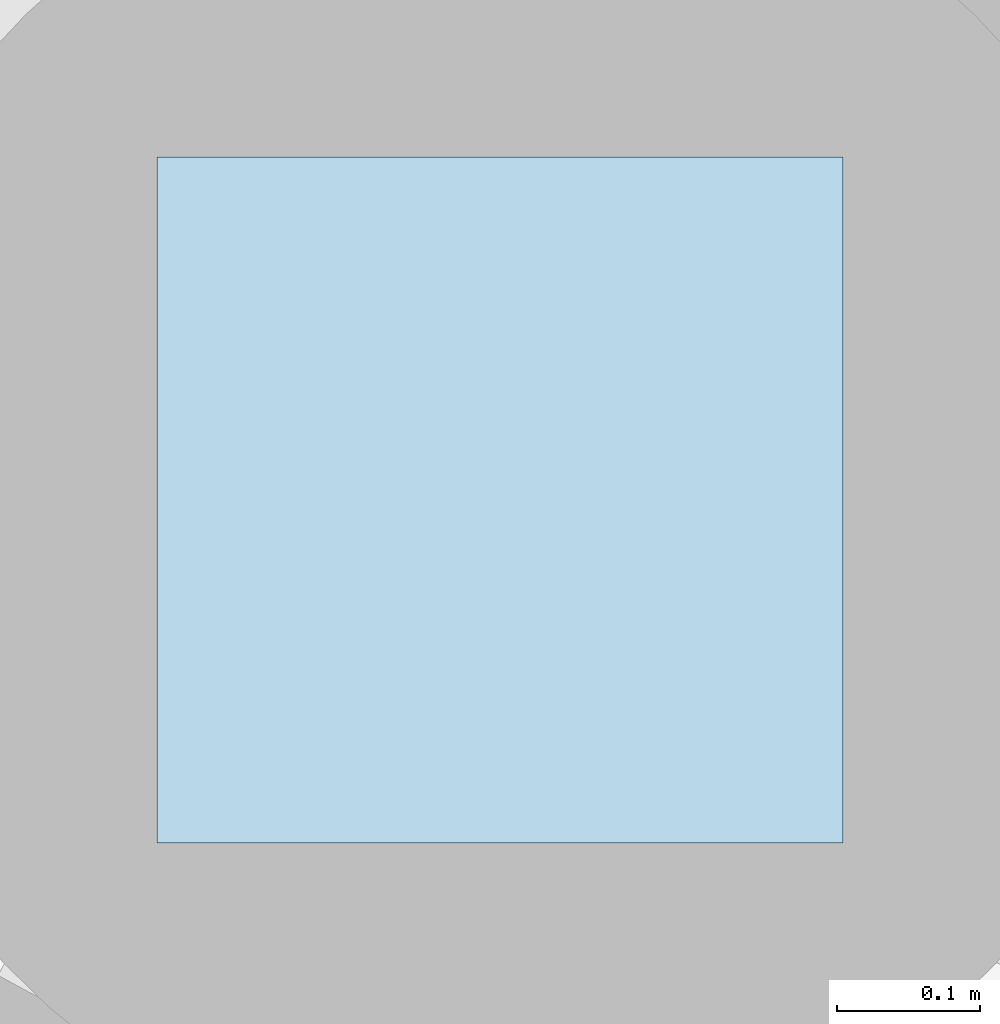
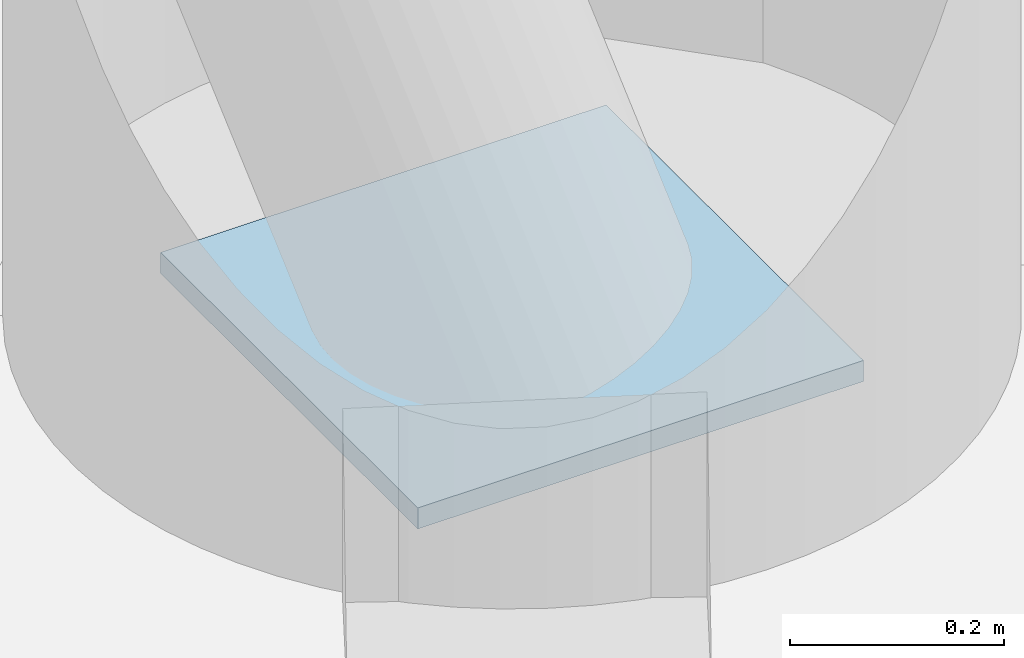
# One storey, part 33 of 82: 1 plate.
"""IFC4 building model written with IfcOpenShell, lengths in metres."""

from ifc_helpers import new_model, si_unit, direction, frame, origin, origin_2d, place, context, subcontext, project, spatial, rectangle, extrude, material, layer, layer_set, type_object, element, save


model = new_model("IFC4")

# Units and contexts
model_context = context("Model", 3, precision=1e-05, world=origin(), true_north=direction((0.0, 1.0)))
body_context = subcontext(model_context, "Body", "Model", "MODEL_VIEW")
ifc_project = project(units=[si_unit("LENGTHUNIT", "METRE"), si_unit("AREAUNIT", "SQUARE_METRE"), si_unit("VOLUMEUNIT", "CUBIC_METRE"), si_unit("PLANEANGLEUNIT", "RADIAN"), si_unit("MASSUNIT", "GRAM", prefix="KILO")], contexts=[model_context])

# Site, building, storey
site_placement = place(None, origin())
site = spatial("IfcSite", under=ifc_project, at=site_placement, CompositionType="ELEMENT")
building_placement = place(site_placement, origin())
building = spatial("IfcBuilding", under=site, at=building_placement, Name="Zlatoyarsky Gate Stadium", CompositionType="ELEMENT")
storey_placement = place(building_placement, origin())
storey = spatial("IfcBuildingStorey", under=building, at=storey_placement, Name="L00", CompositionType="ELEMENT", Elevation=0.0)

# Plate
ifc_material = material(Name="Steel S355", Category="steel")
ifc_layer = layer(ifc_material, 0.02392578125)
ifc_layer_set = layer_set([ifc_layer], Name="Steel S355")
plate_type = type_object("IfcPlateType", Name="STEEL HOLLOW CHORD SPLICE SHEET 24", PredefinedType="SHEET", material=ifc_layer_set)
plate_placement = place(storey_placement, frame((30.459716796875, 115.5, -0.011962890625), z_axis=(0.0, 0.0, 1.0), x_axis=(1.0, 0.0, 0.0)))
element("IfcPlate", 1, at=plate_placement, inside=storey, type_object=plate_type, Name="Node closure plate ND-SP1 NCAP-L00-RSTRB-10", PredefinedType="SHEET", context=body_context, shape_type="SweptSolid", body=[
    extrude(rectangle(XDim=0.47998046875, YDim=0.47998046875, at=origin_2d()), origin(), (0.0, 0.0, 1.0), 0.02392578125),
])

save(model, "model.ifc")
